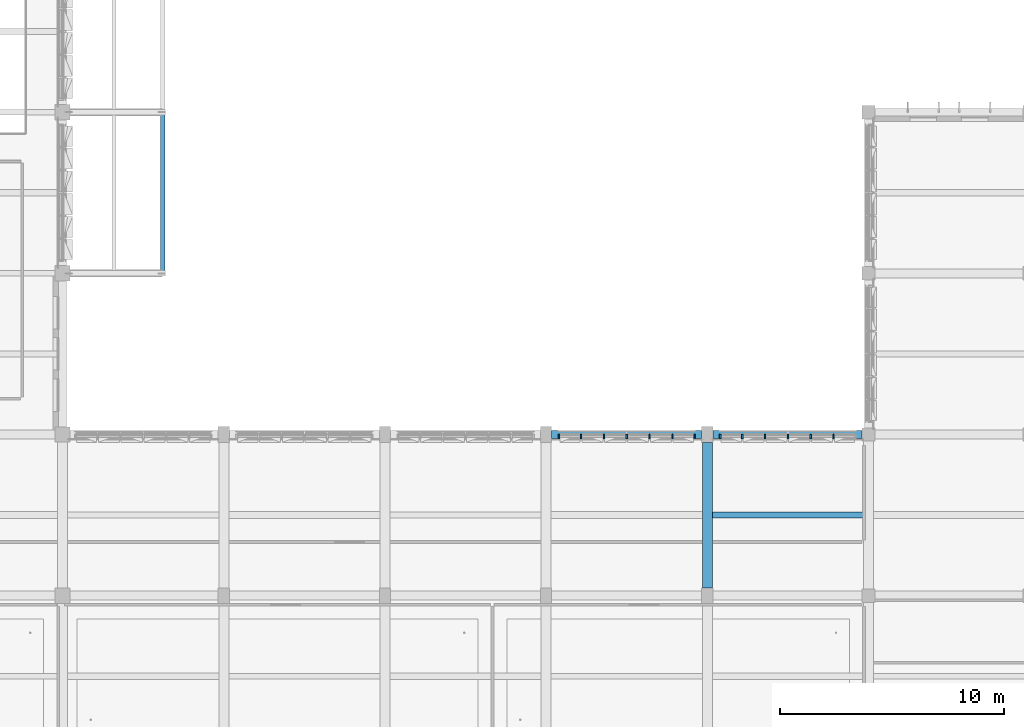
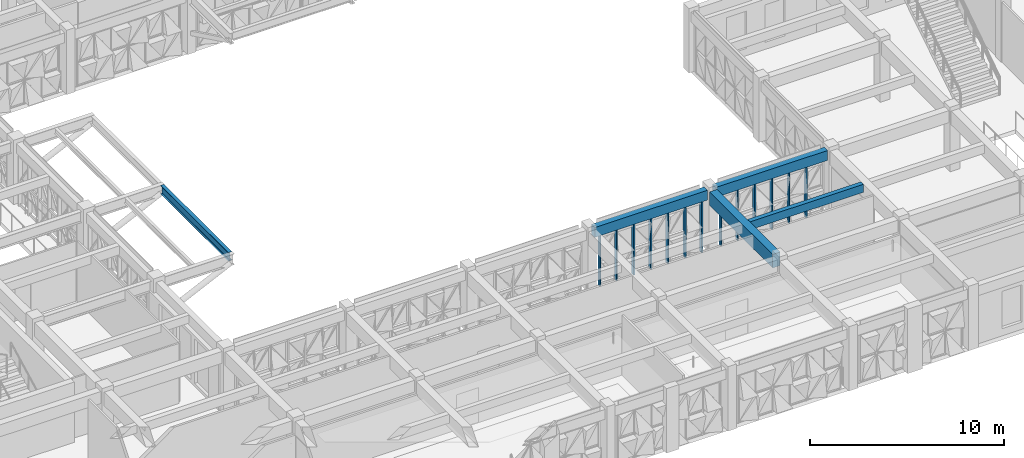
# One storey, part 6 of 88: 13 members, 5 beams, 2 elements without a shape of their own.
"""IFC4 building model written with IfcOpenShell, lengths in metres."""

from ifc_helpers import new_model, si_unit, direction, frame, origin, origin_2d, place, context, subcontext, project, spatial, rectangle, i_section, extrude, material, material_profile, profile_set, type_object, element, aggregate, save


model = new_model("IFC4")

# Units and contexts
model_context = context("Model", 3, precision=1e-05, world=origin(), true_north=direction((0.0, 1.0)))
body_context = subcontext(model_context, "Body", "Model", "MODEL_VIEW")
ifc_project = project(units=[si_unit("LENGTHUNIT", "METRE"), si_unit("AREAUNIT", "SQUARE_METRE"), si_unit("VOLUMEUNIT", "CUBIC_METRE"), si_unit("PLANEANGLEUNIT", "RADIAN"), si_unit("MASSUNIT", "GRAM", prefix="KILO")], contexts=[model_context])

# Site, building, storey
site_placement = place(None, origin())
site = spatial("IfcSite", under=ifc_project, at=site_placement, CompositionType="ELEMENT")
building_placement = place(site_placement, origin())
building = spatial("IfcBuilding", under=site, at=building_placement, Name="Alvorim Cloister Faculty of Sciences", CompositionType="ELEMENT")
storey_placement = place(building_placement, frame((0.0, 0.0, 4.5)))
storey = spatial("IfcBuildingStorey", under=building, at=storey_placement, Name="L01", CompositionType="ELEMENT", Elevation=4.5)

# Beams
ifc_material_1 = material(Name="Concrete C40", Category="concrete")
ifc_material_profile_1 = material_profile(ifc_material_1, rectangle(XDim=0.260009765625, YDim=0.5, at=origin_2d()), Name="RC40-JST-260x500")
ifc_profile_set_1 = profile_set([ifc_material_profile_1], Name="Concrete C40")
beam_type_1 = type_object("IfcBeamType", Name="BM-JST-RC-260x500", PredefinedType="JOIST", material=ifc_profile_set_1)
beam_1_placement = place(storey_placement, frame((57.824951171875, 10.800048828125, 3.5400390625), z_axis=(1.0, 0.0, 0.0), x_axis=(0.0, 1.0, 0.0)))
element("IfcBeam", 1, at=beam_1_placement, inside=storey, type_object=beam_type_1, Name="L01 Secondary Floor Joist BM-1205", PredefinedType="JOIST", context=body_context, shape_type="SweptSolid", body=[
    extrude(rectangle(XDim=0.260009765625, YDim=0.5, at=origin_2d()), origin(), (0.0, 0.0, 1.0), 6.75),
])
ifc_material_profile_2 = material_profile(ifc_material_1, rectangle(XDim=0.449951171875, YDim=0.85009765625, at=origin_2d()), Name="RC40-BM-450x850")
ifc_profile_set_2 = profile_set([ifc_material_profile_2], Name="Concrete C40")
beam_type_2 = type_object("IfcBeamType", Name="BM-RC-450x850", PredefinedType="BEAM", material=ifc_profile_set_2)
beam_2_placement = place(storey_placement, frame((57.60009765625, 7.550048828125, 3.364990234375), z_axis=(0.0, 1.0, 0.0), x_axis=(-1.0, 0.0, 0.0)))
element("IfcBeam", 2, at=beam_2_placement, inside=storey, type_object=beam_type_2, Name="L01 Primary Girder BM-1101", PredefinedType="BEAM", context=body_context, shape_type="SweptSolid", body=[
    extrude(rectangle(XDim=0.449951171875, YDim=0.85009765625, at=origin_2d()), origin(), (0.0, 0.0, 1.0), 6.5),
])
ifc_material_profile_3 = material_profile(ifc_material_1, rectangle(XDim=0.35009765625, YDim=0.6201171875, at=origin_2d()), Name="RC40-SPD-350x620")
ifc_profile_set_3 = profile_set([ifc_material_profile_3], Name="Concrete C40")
beam_type_3 = type_object("IfcBeamType", Name="BM-SPD-RC-350x620", PredefinedType="SPANDREL", material=ifc_profile_set_3)
beam_3_placement = place(storey_placement, frame((50.64990234375, 14.39990234375, 3.47998046875), z_axis=(1.0, 0.0, 0.0), x_axis=(0.0, 1.0, 0.0)))
element("IfcBeam", 3, at=beam_3_placement, inside=storey, type_object=beam_type_3, Name="L01 Primary Beam BM-0931", PredefinedType="SPANDREL", context=body_context, shape_type="SweptSolid", body=[
    extrude(rectangle(XDim=0.35009765625, YDim=0.6201171875, at=origin_2d()), origin(), (0.0, 0.0, 1.0), 6.7001953125),
])
beam_4_placement = place(storey_placement, frame((57.85009765625, 14.39990234375, 3.47998046875), z_axis=(1.0, 0.0, 0.0), x_axis=(0.0, 1.0, 0.0)))
element("IfcBeam", 4, at=beam_4_placement, inside=storey, type_object=beam_type_3, Name="L01 Primary Beam BM-0932", PredefinedType="SPANDREL", context=body_context, shape_type="SweptSolid", body=[
    extrude(rectangle(XDim=0.35009765625, YDim=0.6201171875, at=origin_2d()), origin(), (0.0, 0.0, 1.0), 6.64990234375),
])
ifc_material_2 = material(Name="Steel ASTM A572 Grade 50", Category="steel")
ifc_material_profile_4 = material_profile(ifc_material_2, i_section(OverallWidth=0.208984375, OverallDepth=0.532958984375, WebThickness=0.01025390625, FlangeThickness=0.015625, FilletRadius=0.01611328125, at=origin_2d()), Name="W530x92.0")
ifc_profile_set_4 = profile_set([ifc_material_profile_4], Name="Steel ASTM A572 Grade 50")
beam_type_4 = type_object("IfcBeamType", Name="BM-STL-W530", PredefinedType="BEAM", material=ifc_profile_set_4)
beam_5_placement = place(storey_placement, frame((33.280029296875, 21.7099609375, 3.5234375), z_axis=(0.0, 1.0, 0.0), x_axis=(-1.0, 0.0, 0.0)))
element("IfcBeam", 5, at=beam_5_placement, inside=storey, type_object=beam_type_4, Name="L01 Cantilever Tip Header Girder BM-0007", PredefinedType="BEAM", context=body_context, shape_type="SweptSolid", body=[
    extrude(i_section(OverallWidth=0.208984375, OverallDepth=0.532958984375, WebThickness=0.01025390625, FlangeThickness=0.015625, FilletRadius=0.01611328125, at=origin_2d()), origin(), (0.0, 0.0, 1.0), 6.97998046875),
])

# Curtain wall, members
ifc_material_3 = material(Name="Aluminium and Low-E Glass Curtain Wall", Category="aluminium")
curtain_wall_type = type_object("IfcCurtainWallType", Name="CW-TRI-6120x3170", PredefinedType="USERDEFINED", material=ifc_material_3)
curtain_wall_1_placement = place(storey_placement, origin())
curtain_wall_1 = element("IfcCurtainWall", 6, at=curtain_wall_1_placement, inside=storey, type_object=curtain_wall_type, Name="L01 Diagonal Cassette Curtain Wall CW-0030", ObjectType="UNITISED CURTAIN WALL", PredefinedType="USERDEFINED")
ifc_material_4 = material(Name="Aluminium Alloy 6063-T6", Category="aluminium")
ifc_material_profile_5 = material_profile(ifc_material_4, rectangle(XDim=0.074951171875, YDim=0.219970703125, at=origin_2d()), Name="ALU-MUL-75x220")
ifc_profile_set_5 = profile_set([ifc_material_profile_5], Name="Aluminium Alloy 6063-T6")
member_type = type_object("IfcMemberType", Name="CW-MUL-75x220", PredefinedType="MULLION", material=ifc_profile_set_5)
member_1_placement = place(storey_placement, frame((50.9775390625, 14.31005859375, 0.0), z_axis=(0.0, 0.0, 1.0), x_axis=(1.0, 0.0, 0.0)))
member_1 = element("IfcMember", 7, at=member_1_placement, type_object=member_type, Name="CW-0030 Mullion 1", PredefinedType="MULLION", context=body_context, shape_type="SweptSolid", body=[
    extrude(rectangle(XDim=0.074951171875, YDim=0.219970703125, at=origin_2d()), origin(), (0.0, 0.0, 1.0), 3.169921875),
])
member_2_placement = place(storey_placement, frame((51.9599609375, 14.31005859375, 0.0), z_axis=(0.0, 0.0, 1.0), x_axis=(1.0, 0.0, 0.0)))
member_2 = element("IfcMember", 8, at=member_2_placement, type_object=member_type, Name="CW-0030 Mullion 2", PredefinedType="MULLION", context=body_context, shape_type="SweptSolid", body=[
    extrude(rectangle(XDim=0.074951171875, YDim=0.219970703125, at=origin_2d()), origin(), (0.0, 0.0, 1.0), 3.169921875),
])
member_3_placement = place(storey_placement, frame((52.97998046875, 14.31005859375, 0.0), z_axis=(0.0, 0.0, 1.0), x_axis=(1.0, 0.0, 0.0)))
member_3 = element("IfcMember", 9, at=member_3_placement, type_object=member_type, Name="CW-0030 Mullion 3", PredefinedType="MULLION", context=body_context, shape_type="SweptSolid", body=[
    extrude(rectangle(XDim=0.074951171875, YDim=0.219970703125, at=origin_2d()), origin(), (0.0, 0.0, 1.0), 3.169921875),
])
member_4_placement = place(storey_placement, frame((54.0, 14.31005859375, 0.0), z_axis=(0.0, 0.0, 1.0), x_axis=(1.0, 0.0, 0.0)))
member_4 = element("IfcMember", 10, at=member_4_placement, type_object=member_type, Name="CW-0030 Mullion 4", PredefinedType="MULLION", context=body_context, shape_type="SweptSolid", body=[
    extrude(rectangle(XDim=0.074951171875, YDim=0.219970703125, at=origin_2d()), origin(), (0.0, 0.0, 1.0), 3.169921875),
])
member_5_placement = place(storey_placement, frame((55.02001953125, 14.31005859375, 0.0), z_axis=(0.0, 0.0, 1.0), x_axis=(1.0, 0.0, 0.0)))
member_5 = element("IfcMember", 11, at=member_5_placement, type_object=member_type, Name="CW-0030 Mullion 5", PredefinedType="MULLION", context=body_context, shape_type="SweptSolid", body=[
    extrude(rectangle(XDim=0.074951171875, YDim=0.219970703125, at=origin_2d()), origin(), (0.0, 0.0, 1.0), 3.169921875),
])
member_6_placement = place(storey_placement, frame((56.0400390625, 14.31005859375, 0.0), z_axis=(0.0, 0.0, 1.0), x_axis=(1.0, 0.0, 0.0)))
member_6 = element("IfcMember", 12, at=member_6_placement, type_object=member_type, Name="CW-0030 Mullion 6", PredefinedType="MULLION", context=body_context, shape_type="SweptSolid", body=[
    extrude(rectangle(XDim=0.074951171875, YDim=0.219970703125, at=origin_2d()), origin(), (0.0, 0.0, 1.0), 3.169921875),
])
member_7_placement = place(storey_placement, frame((57.0224609375, 14.31005859375, 0.0), z_axis=(0.0, 0.0, 1.0), x_axis=(1.0, 0.0, 0.0)))
member_7 = element("IfcMember", 13, at=member_7_placement, type_object=member_type, Name="CW-0030 Mullion 7", PredefinedType="MULLION", context=body_context, shape_type="SweptSolid", body=[
    extrude(rectangle(XDim=0.074951171875, YDim=0.219970703125, at=origin_2d()), origin(), (0.0, 0.0, 1.0), 3.169921875),
])
aggregate(curtain_wall_1, [member_1, member_2, member_3, member_4, member_5, member_6, member_7])

curtain_wall_2_placement = place(storey_placement, origin())
curtain_wall_2 = element("IfcCurtainWall", 14, at=curtain_wall_2_placement, inside=storey, type_object=curtain_wall_type, Name="L01 Diagonal Cassette Curtain Wall CW-0031", ObjectType="UNITISED CURTAIN WALL", PredefinedType="USERDEFINED")
member_8_placement = place(storey_placement, frame((58.177490234375, 14.31005859375, 0.0), z_axis=(0.0, 0.0, 1.0), x_axis=(1.0, 0.0, 0.0)))
member_8 = element("IfcMember", 15, at=member_8_placement, type_object=member_type, Name="CW-0031 Mullion 1", PredefinedType="MULLION", context=body_context, shape_type="SweptSolid", body=[
    extrude(rectangle(XDim=0.074951171875, YDim=0.219970703125, at=origin_2d()), origin(), (0.0, 0.0, 1.0), 3.169921875),
])
member_9_placement = place(storey_placement, frame((59.159912109375, 14.31005859375, 0.0), z_axis=(0.0, 0.0, 1.0), x_axis=(1.0, 0.0, 0.0)))
member_9 = element("IfcMember", 16, at=member_9_placement, type_object=member_type, Name="CW-0031 Mullion 2", PredefinedType="MULLION", context=body_context, shape_type="SweptSolid", body=[
    extrude(rectangle(XDim=0.074951171875, YDim=0.219970703125, at=origin_2d()), origin(), (0.0, 0.0, 1.0), 3.169921875),
])
member_10_placement = place(storey_placement, frame((60.179931640625, 14.31005859375, 0.0), z_axis=(0.0, 0.0, 1.0), x_axis=(1.0, 0.0, 0.0)))
member_10 = element("IfcMember", 17, at=member_10_placement, type_object=member_type, Name="CW-0031 Mullion 3", PredefinedType="MULLION", context=body_context, shape_type="SweptSolid", body=[
    extrude(rectangle(XDim=0.074951171875, YDim=0.219970703125, at=origin_2d()), origin(), (0.0, 0.0, 1.0), 3.169921875),
])
member_11_placement = place(storey_placement, frame((61.199951171875, 14.31005859375, 0.0), z_axis=(0.0, 0.0, 1.0), x_axis=(1.0, 0.0, 0.0)))
member_11 = element("IfcMember", 18, at=member_11_placement, type_object=member_type, Name="CW-0031 Mullion 4", PredefinedType="MULLION", context=body_context, shape_type="SweptSolid", body=[
    extrude(rectangle(XDim=0.074951171875, YDim=0.219970703125, at=origin_2d()), origin(), (0.0, 0.0, 1.0), 3.169921875),
])
member_12_placement = place(storey_placement, frame((62.219970703125, 14.31005859375, 0.0), z_axis=(0.0, 0.0, 1.0), x_axis=(1.0, 0.0, 0.0)))
member_12 = element("IfcMember", 19, at=member_12_placement, type_object=member_type, Name="CW-0031 Mullion 5", PredefinedType="MULLION", context=body_context, shape_type="SweptSolid", body=[
    extrude(rectangle(XDim=0.074951171875, YDim=0.219970703125, at=origin_2d()), origin(), (0.0, 0.0, 1.0), 3.169921875),
])
member_13_placement = place(storey_placement, frame((63.239990234375, 14.31005859375, 0.0), z_axis=(0.0, 0.0, 1.0), x_axis=(1.0, 0.0, 0.0)))
member_13 = element("IfcMember", 20, at=member_13_placement, type_object=member_type, Name="CW-0031 Mullion 6", PredefinedType="MULLION", context=body_context, shape_type="SweptSolid", body=[
    extrude(rectangle(XDim=0.074951171875, YDim=0.219970703125, at=origin_2d()), origin(), (0.0, 0.0, 1.0), 3.169921875),
])
aggregate(curtain_wall_2, [member_8, member_9, member_10, member_11, member_12, member_13])

save(model, "model.ifc")
